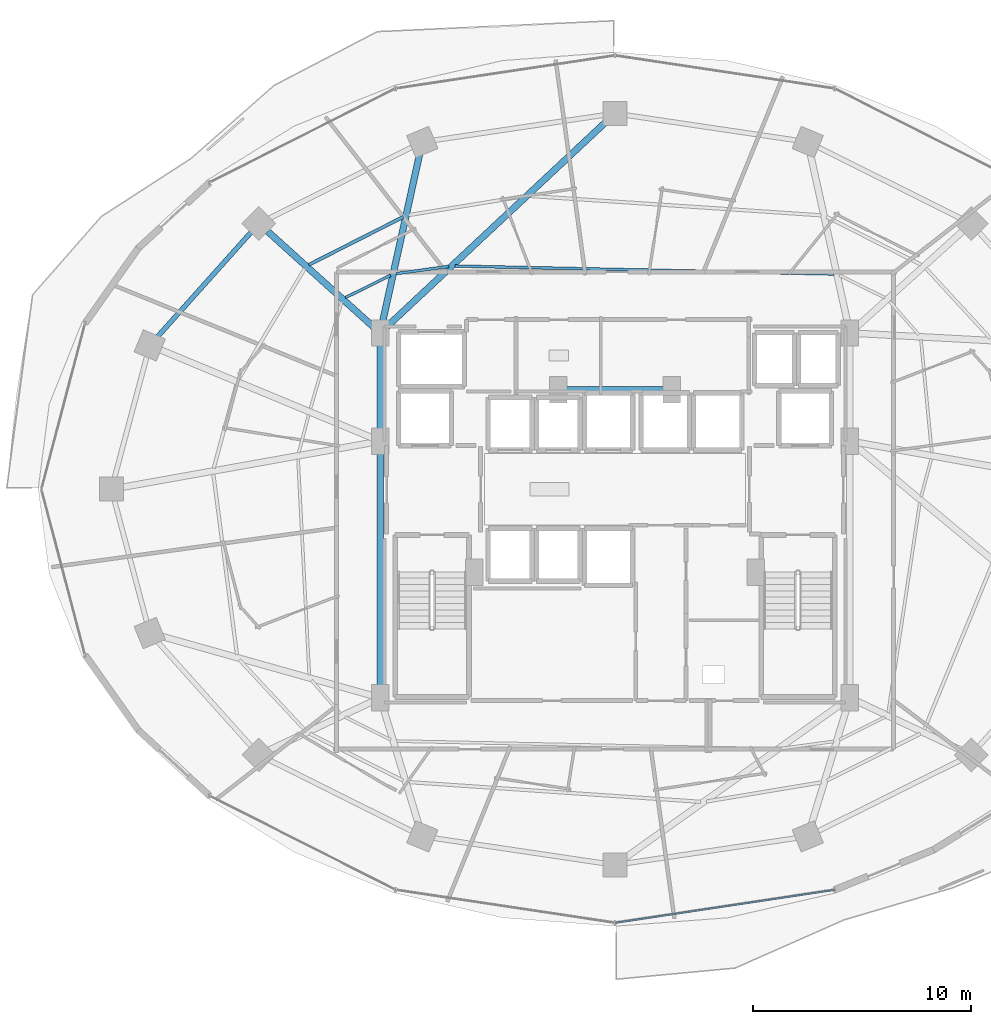
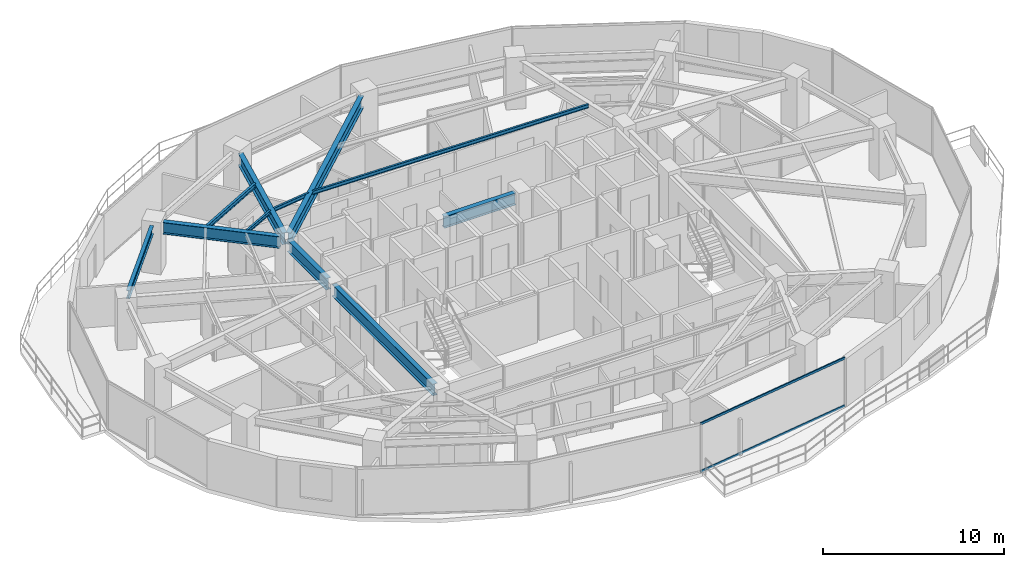
# One storey, part 9 of 30: 11 beams, 2 members, 1 element without a shape of its own.
"""IFC4 building model written with IfcOpenShell, lengths in metres."""

from ifc_helpers import new_model, si_unit, direction, frame, origin, origin_2d, place, context, subcontext, project, spatial, hollow_rectangle, i_section, extrude, material, material_profile, profile_set, type_object, element, aggregate, save


model = new_model("IFC4")

# Units and contexts
model_context = context("Model", 3, precision=1e-05, world=origin(), true_north=direction((0.0, 1.0)))
body_context = subcontext(model_context, "Body", "Model", "MODEL_VIEW")
ifc_project = project(units=[si_unit("LENGTHUNIT", "METRE"), si_unit("AREAUNIT", "SQUARE_METRE"), si_unit("VOLUMEUNIT", "CUBIC_METRE"), si_unit("PLANEANGLEUNIT", "RADIAN"), si_unit("MASSUNIT", "GRAM", prefix="KILO")], contexts=[model_context])

# Site, building, storey
site_placement = place(None, origin())
site = spatial("IfcSite", under=ifc_project, at=site_placement, CompositionType="ELEMENT")
building_placement = place(site_placement, origin())
building = spatial("IfcBuilding", under=site, at=building_placement, Name="Vorneva Point Tower", CompositionType="ELEMENT")
storey_placement = place(building_placement, frame((0.0, 0.0, 96.300048828125)))
storey = spatial("IfcBuildingStorey", under=building, at=storey_placement, Name="L25", CompositionType="ELEMENT", Elevation=96.300048828125)

# Beams
ifc_material_1 = material(Name="Steel S355", Category="steel")
ifc_material_profile_1 = material_profile(ifc_material_1, i_section(OverallWidth=0.300048828125, OverallDepth=0.7880859375, WebThickness=0.014404296875, FlangeThickness=0.02197265625, at=origin_2d()), Name="80Sh1")
ifc_profile_set_1 = profile_set([ifc_material_profile_1], Name="Steel S355")
beam_type_1 = type_object("IfcBeamType", Name="BM-GRD-80Sh1", PredefinedType="USERDEFINED", material=ifc_profile_set_1)
beam_1_placement = place(storey_placement, frame((37.60693359375, 42.83251953125, 2.845947265625), z_axis=(-0.730488863256, -0.682924608327, 0.0), x_axis=(0.682924608327, -0.730488863256, 0.0)))
element("IfcBeam", 1, at=beam_1_placement, inside=storey, type_object=beam_type_1, Name="L25 Radial Primary Girder 05", ObjectType="GIRDER", PredefinedType="USERDEFINED", context=body_context, shape_type="SweptSolid", body=[
    extrude(i_section(OverallWidth=0.300048828125, OverallDepth=0.7880859375, WebThickness=0.014404296875, FlangeThickness=0.02197265625, at=origin_2d()), origin(), (0.0, 0.0, 1.0), 13.838134765625),
])
beam_2_placement = place(storey_placement, frame((29.063232421875, 41.365234375, 2.845947265625), z_axis=(-0.215530944428, -0.976497010745, 0.0), x_axis=(0.976497010745, -0.215530944428, 0.0)))
element("IfcBeam", 2, at=beam_2_placement, inside=storey, type_object=beam_type_1, Name="L25 Radial Primary Girder 06", ObjectType="GIRDER", PredefinedType="USERDEFINED", context=body_context, shape_type="SweptSolid", body=[
    extrude(i_section(OverallWidth=0.300048828125, OverallDepth=0.7880859375, WebThickness=0.014404296875, FlangeThickness=0.02197265625, at=origin_2d()), origin(), (0.0, 0.0, 1.0), 8.072998046875),
])
beam_3_placement = place(storey_placement, frame((22.100341796875, 37.801513671875, 2.845947265625), z_axis=(0.742097300344, -0.670292172729, 0.0), x_axis=(0.670292172729, 0.742097300344, 0.0)))
element("IfcBeam", 3, at=beam_3_placement, inside=storey, type_object=beam_type_1, Name="L25 Radial Primary Girder 07", ObjectType="GIRDER", PredefinedType="USERDEFINED", context=body_context, shape_type="SweptSolid", body=[
    extrude(i_section(OverallWidth=0.300048828125, OverallDepth=0.7880859375, WebThickness=0.014404296875, FlangeThickness=0.02197265625, at=origin_2d()), origin(), (0.0, 0.0, 1.0), 6.599365234375),
])
beam_4_placement = place(storey_placement, frame((27.25, 16.77001953125, 2.845947265625), z_axis=(0.0, 1.0, 0.0), x_axis=(-1.0, 0.0, 0.0)))
element("IfcBeam", 4, at=beam_4_placement, inside=storey, type_object=beam_type_1, Name="L25 Core Tie Girder CT1", ObjectType="GIRDER", PredefinedType="USERDEFINED", context=body_context, shape_type="SweptSolid", body=[
    extrude(i_section(OverallWidth=0.300048828125, OverallDepth=0.7880859375, WebThickness=0.014404296875, FlangeThickness=0.02197265625, at=origin_2d()), origin(), (0.0, 0.0, 1.0), 11.10986328125),
])
beam_5_placement = place(storey_placement, frame((27.25, 28.52001953125, 2.845947265625), z_axis=(0.0, 1.0, 0.0), x_axis=(-1.0, 0.0, 0.0)))
element("IfcBeam", 5, at=beam_5_placement, inside=storey, type_object=beam_type_1, Name="L25 Core Tie Girder CT2", ObjectType="GIRDER", PredefinedType="USERDEFINED", context=body_context, shape_type="SweptSolid", body=[
    extrude(i_section(OverallWidth=0.300048828125, OverallDepth=0.7880859375, WebThickness=0.014404296875, FlangeThickness=0.02197265625, at=origin_2d()), origin(), (0.0, 0.0, 1.0), 4.31005859375),
])
beam_6_placement = place(storey_placement, frame((35.719970703125, 30.550048828125, 2.845947265625), z_axis=(1.0, 0.0, 0.0), x_axis=(0.0, 1.0, 0.0)))
element("IfcBeam", 6, at=beam_6_placement, inside=storey, type_object=beam_type_1, Name="L25 Core Tie Girder CT8", ObjectType="GIRDER", PredefinedType="USERDEFINED", context=body_context, shape_type="SweptSolid", body=[
    extrude(i_section(OverallWidth=0.300048828125, OverallDepth=0.7880859375, WebThickness=0.014404296875, FlangeThickness=0.02197265625, at=origin_2d()), origin(), (0.0, 0.0, 1.0), 4.56005859375),
])
ifc_material_profile_2 = material_profile(ifc_material_1, i_section(OverallWidth=0.1240234375, OverallDepth=0.248046875, WebThickness=0.0048828125, FlangeThickness=0.008056640625, at=origin_2d()), Name="25B1")
ifc_profile_set_2 = profile_set([ifc_material_profile_2], Name="Steel S355")
beam_type_2 = type_object("IfcBeamType", Name="BM-JST-25B1", PredefinedType="JOIST", material=ifc_profile_set_2)
beam_7_placement = place(storey_placement, frame((48.016845703125, 35.849853515625, 3.115966796875), z_axis=(-0.99977933568, 0.021006664342, 0.0), x_axis=(-0.021006664342, -0.99977933568, 0.0)))
element("IfcBeam", 7, at=beam_7_placement, inside=storey, type_object=beam_type_2, Name="L25 Secondary Floor Beam 2.04", PredefinedType="JOIST", context=body_context, shape_type="SweptSolid", body=[
    extrude(i_section(OverallWidth=0.1240234375, OverallDepth=0.248046875, WebThickness=0.0048828125, FlangeThickness=0.008056640625, at=origin_2d()), origin(), (0.0, 0.0, 1.0), 17.351806640625),
])
beam_8_placement = place(storey_placement, frame((30.394287109375, 36.198486328125, 3.115966796875), z_axis=(-0.990619725387, -0.136647574709, 0.0), x_axis=(0.136647574709, -0.990619725387, 0.0)))
element("IfcBeam", 8, at=beam_8_placement, inside=storey, type_object=beam_type_2, Name="L25 Secondary Floor Beam 2.05", PredefinedType="JOIST", context=body_context, shape_type="SweptSolid", body=[
    extrude(i_section(OverallWidth=0.1240234375, OverallDepth=0.248046875, WebThickness=0.0048828125, FlangeThickness=0.008056640625, at=origin_2d()), origin(), (0.0, 0.0, 1.0), 2.435302734375),
])
beam_9_placement = place(storey_placement, frame((27.721435546875, 35.785888671875, 3.115966796875), z_axis=(-0.896973792336, -0.442083720423, 0.0), x_axis=(0.442083720423, -0.896973792336, 0.0)))
element("IfcBeam", 9, at=beam_9_placement, inside=storey, type_object=beam_type_2, Name="L25 Secondary Floor Beam 2.06", PredefinedType="JOIST", context=body_context, shape_type="SweptSolid", body=[
    extrude(i_section(OverallWidth=0.1240234375, OverallDepth=0.248046875, WebThickness=0.0048828125, FlangeThickness=0.008056640625, at=origin_2d()), origin(), (0.0, 0.0, 1.0), 2.306640625),
])
ifc_material_profile_3 = material_profile(ifc_material_1, i_section(OverallWidth=0.14892578125, OverallDepth=0.298095703125, WebThickness=0.005615234375, FlangeThickness=0.008056640625, at=origin_2d()), Name="30B1")
ifc_profile_set_3 = profile_set([ifc_material_profile_3], Name="Steel S355")
beam_type_3 = type_object("IfcBeamType", Name="BM-JST-30B1", PredefinedType="JOIST", material=ifc_profile_set_3)
beam_10_placement = place(storey_placement, frame((28.313720703125, 38.46484375, 3.091064453125), z_axis=(-0.891957851433, -0.452118558862, 0.0), x_axis=(0.452118558862, -0.891957851433, 0.0)))
element("IfcBeam", 10, at=beam_10_placement, inside=storey, type_object=beam_type_3, Name="L25 Secondary Floor Beam 1.06", PredefinedType="JOIST", context=body_context, shape_type="SweptSolid", body=[
    extrude(i_section(OverallWidth=0.14892578125, OverallDepth=0.298095703125, WebThickness=0.005615234375, FlangeThickness=0.008056640625, at=origin_2d()), origin(), (0.0, 0.0, 1.0), 4.851318359375),
])
ifc_material_profile_4 = material_profile(ifc_material_1, i_section(OverallWidth=0.219970703125, OverallDepth=0.54296875, WebThickness=0.009521484375, FlangeThickness=0.013427734375, at=origin_2d()), Name="55B1")
ifc_profile_set_4 = profile_set([ifc_material_profile_4], Name="Steel S355")
beam_type_4 = type_object("IfcBeamType", Name="BM-SPN-55B1", PredefinedType="SPANDREL", material=ifc_profile_set_4)
beam_11_placement = place(storey_placement, frame((21.34423828125, 37.763671875, 2.968505859375), z_axis=(-0.667073815664, -0.744991627105, 0.0), x_axis=(0.744991627105, -0.667073815664, 0.0)))
element("IfcBeam", 11, at=beam_11_placement, inside=storey, type_object=beam_type_4, Name="L25 Perimeter Spandrel Ring Beam 07", PredefinedType="SPANDREL", context=body_context, shape_type="SweptSolid", body=[
    extrude(i_section(OverallWidth=0.219970703125, OverallDepth=0.54296875, WebThickness=0.009521484375, FlangeThickness=0.013427734375, at=origin_2d()), origin(), (0.0, 0.0, 1.0), 6.420166015625),
])

# Curtain wall, members
ifc_material_2 = material(Name="Pale anodised aluminium", Category="aluminium")
curtain_wall_type = type_object("IfcCurtainWallType", Name="CW-HTL-SYS", PredefinedType="NOTDEFINED", material=ifc_material_2)
curtain_wall_placement = place(storey_placement, origin())
curtain_wall = element("IfcCurtainWall", 12, at=curtain_wall_placement, inside=storey, type_object=curtain_wall_type, Name="L25 Unitised Curtain Wall CW-L25-R04", PredefinedType="NOTDEFINED")
ifc_material_profile_5 = material_profile(ifc_material_2, hollow_rectangle(XDim=0.074951171875, YDim=0.14990234375, WallThickness=0.00390625, at=origin_2d()), Name="AL-TRN 150x75x4")
ifc_profile_set_5 = profile_set([ifc_material_profile_5], Name="Pale anodised aluminium")
member_type = type_object("IfcMemberType", Name="CW-TRN-150", PredefinedType="USERDEFINED", material=ifc_profile_set_5)
member_1_placement = place(storey_placement, frame((38.0, 6.14990234375, 0.02001953125), z_axis=(0.988875982167, 0.148742367512, 0.0), x_axis=(-0.148742367512, 0.988875982167, 0.0)))
member_1 = element("IfcMember", 13, at=member_1_placement, type_object=member_type, Name="CW-L25-R04 Transom 03.1", ObjectType="TRANSOM", PredefinedType="USERDEFINED", context=body_context, shape_type="SweptSolid", body=[
    extrude(hollow_rectangle(XDim=0.074951171875, YDim=0.14990234375, WallThickness=0.00390625, at=origin_2d()), origin(), (0.0, 0.0, 1.0), 10.158447265625),
])
member_2_placement = place(storey_placement, frame((38.0, 6.14990234375, 3.219970703125), z_axis=(0.988875982167, 0.148742367512, 0.0), x_axis=(-0.148742367512, 0.988875982167, 0.0)))
member_2 = element("IfcMember", 14, at=member_2_placement, type_object=member_type, Name="CW-L25-R04 Transom 03.2", ObjectType="TRANSOM", PredefinedType="USERDEFINED", context=body_context, shape_type="SweptSolid", body=[
    extrude(hollow_rectangle(XDim=0.074951171875, YDim=0.14990234375, WallThickness=0.00390625, at=origin_2d()), origin(), (0.0, 0.0, 1.0), 10.158447265625),
])
aggregate(curtain_wall, [member_1, member_2])

save(model, "model.ifc")
